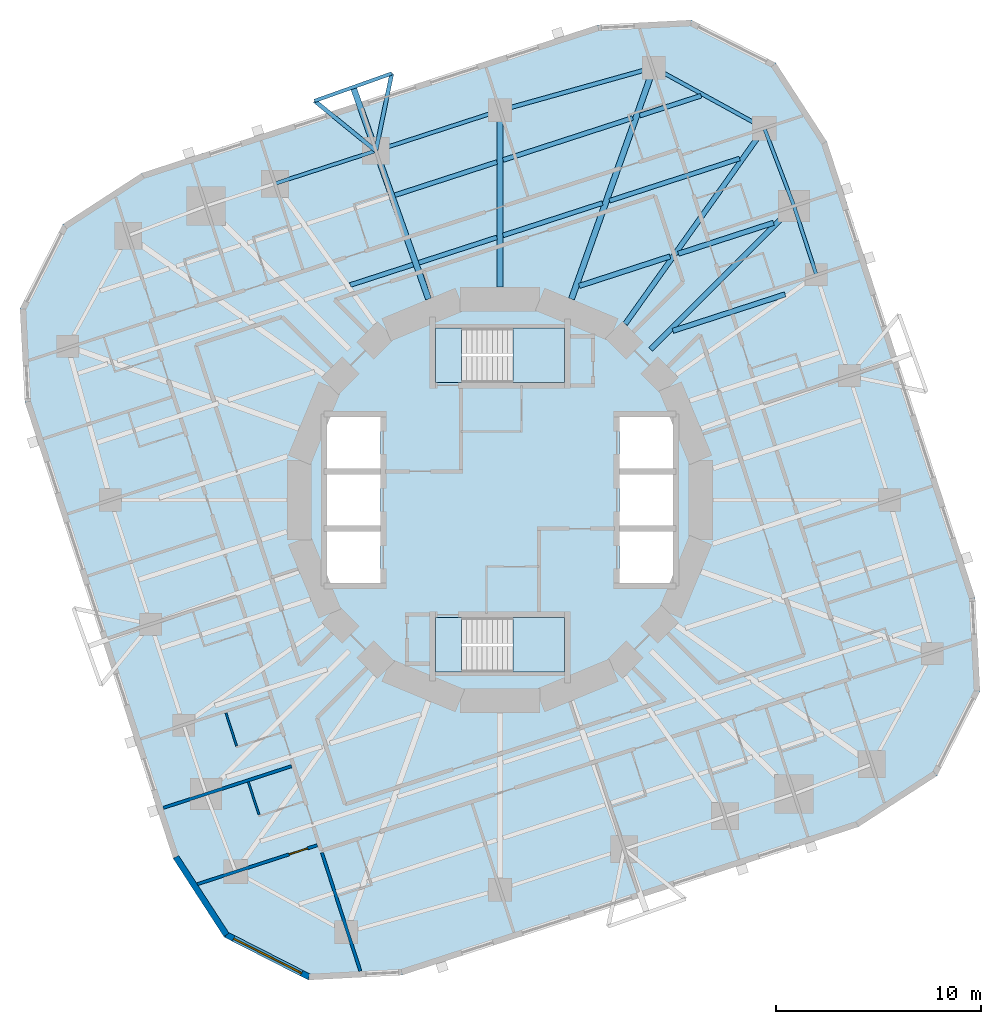
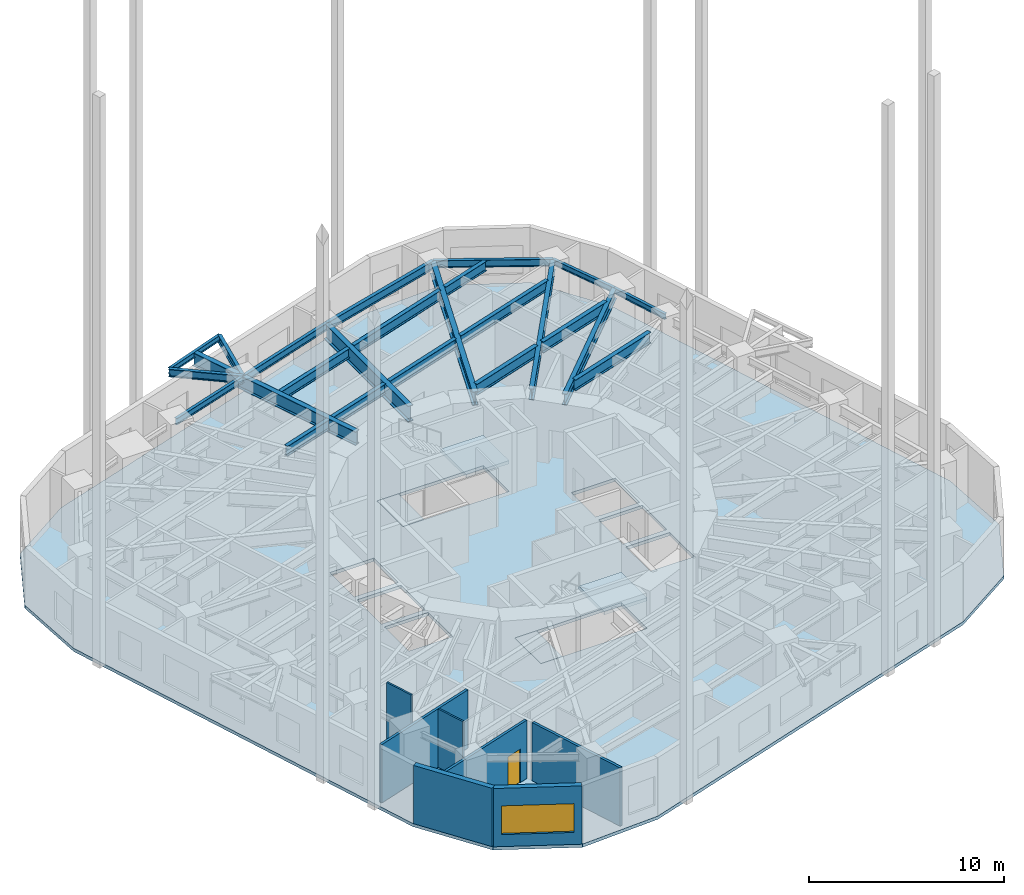
# One storey, part 3 of 10: 24 beams, 7 walls, 5 slabs, 1 door, 1 window, 2 openings, 2 elements without a shape of their own.
"""IFC4 building model written with IfcOpenShell, lengths in metres."""

from ifc_helpers import new_model, si_unit, direction, frame, frame_2d, origin, origin_2d, place, context, subcontext, project, spatial, polyline, rectangle, i_section, outline, extrude, material, layer, layer_set, material_profile, profile_set, type_object, element, fill, aggregate, save


model = new_model("IFC4")

# Units and contexts
model_context = context("Model", 3, precision=1e-05, world=origin(), true_north=direction((0.0, 1.0)))
body_context = subcontext(model_context, "Body", "Model", "MODEL_VIEW")
ifc_project = project(units=[si_unit("LENGTHUNIT", "METRE"), si_unit("AREAUNIT", "SQUARE_METRE"), si_unit("VOLUMEUNIT", "CUBIC_METRE"), si_unit("PLANEANGLEUNIT", "RADIAN"), si_unit("MASSUNIT", "GRAM", prefix="KILO")], contexts=[model_context])

# Site, building, storey
site_placement = place(None, origin())
site = spatial("IfcSite", under=ifc_project, at=site_placement, CompositionType="ELEMENT")
building_placement = place(site_placement, origin())
building = spatial("IfcBuilding", under=site, at=building_placement, Name="Nakasero Lantern House", CompositionType="ELEMENT")
storey_placement = place(building_placement, frame((0.0, 0.0, 141.800048828125)))
storey = spatial("IfcBuildingStorey", under=building, at=storey_placement, Name="L34", CompositionType="ELEMENT", Elevation=141.800048828125)

# Beams
ifc_material_1 = material(Name="Steel S355", Category="steel")
ifc_material_profile_1 = material_profile(ifc_material_1, i_section(OverallWidth=0.199462890625, OverallDepth=0.491943359375, WebThickness=0.01806640625, FlangeThickness=0.031982421875, FilletRadius=0.01025390625, at=origin_2d()), Name="UB 457x191x161")
ifc_profile_set_1 = profile_set([ifc_material_profile_1], Name="Steel S355")
beam_type_1 = type_object("IfcBeamType", Name="Balcony splay beam UB 457x191x161", PredefinedType="BEAM", material=ifc_profile_set_1)
for number, where, z_axis, x_axis, name in (
    (1, (-6.06591796875, 17.060546875, 3.404052734375), (-0.774864205236, 0.632127727159, 0.0), (-0.632127727159, -0.774864205236, 0.0), "Balcony splay beam L35 B4-C10A"),
    (2, (-6.06591796875, 17.060546875, 3.404052734375), (0.201831438605, 0.979420272605, 0.0), (-0.979420272605, 0.201831438605, 0.0), "Balcony splay beam L35 B4-C10B"),
):
    element("IfcBeam", number, at=place(storey_placement, frame(where, z_axis=z_axis, x_axis=x_axis)), inside=storey, type_object=beam_type_1, Name=name, PredefinedType="BEAM", context=body_context, shape_type="SweptSolid", body=[
        extrude(i_section(OverallWidth=0.199462890625, OverallDepth=0.491943359375, WebThickness=0.01806640625, FlangeThickness=0.031982421875, FilletRadius=0.01025390625, at=origin_2d()), origin(), (0.0, 0.0, 1.0), 3.858642578125),
    ])
ifc_material_2 = material(Name="Steel S355", Category="steel")
ifc_material_profile_2 = material_profile(ifc_material_2, i_section(OverallWidth=0.17138671875, OverallDepth=0.35498046875, WebThickness=0.00732421875, FlangeThickness=0.011474609375, FilletRadius=0.01025390625, at=origin_2d()), Name="UB 356x171x51")
ifc_profile_set_2 = profile_set([ifc_material_profile_2], Name="Steel S355")
beam_type_2 = type_object("IfcBeamType", Name="Balcony tie beam UB 356x171x51", PredefinedType="BEAM", material=ifc_profile_set_2)
beam_1_placement = place(storey_placement, frame((-9.055908203125, 19.499755859375, 3.472412109375), z_axis=(0.942209124415, 0.335025321236, 0.0), x_axis=(-0.335025321236, 0.942209124415, 0.0)))
element("IfcBeam", 3, at=beam_1_placement, inside=storey, type_object=beam_type_2, Name="Balcony tie beam L35 B4-C10", PredefinedType="BEAM", context=body_context, shape_type="SweptSolid", body=[
    extrude(i_section(OverallWidth=0.17138671875, OverallDepth=0.35498046875, WebThickness=0.00732421875, FlangeThickness=0.011474609375, FilletRadius=0.01025390625, at=origin_2d()), origin(), (0.0, 0.0, 1.0), 4.0),
])
ifc_material_3 = material(Name="Steel S355", Category="steel")
ifc_material_profile_3 = material_profile(ifc_material_3, i_section(OverallWidth=0.22900390625, OverallDepth=0.6123046875, WebThickness=0.011962890625, FlangeThickness=0.01953125, FilletRadius=0.0126953125, at=origin_2d()), Name="UB 610x229x125")
ifc_profile_set_3 = profile_set([ifc_material_profile_3], Name="Steel S355")
beam_type_3 = type_object("IfcBeamType", Name="Infill beam UB 610x229x125", PredefinedType="JOIST", material=ifc_profile_set_3)
beam_2_placement = place(storey_placement, frame((-7.31396484375, 10.50390625, 3.34375), z_axis=(0.951054080044, 0.309024492283, 0.0), x_axis=(-0.309024492283, 0.951054080044, 0.0)))
element("IfcBeam", 4, at=beam_2_placement, inside=storey, type_object=beam_type_3, Name="Infill beam L35 11.5", PredefinedType="JOIST", context=body_context, shape_type="SweptSolid", body=[
    extrude(i_section(OverallWidth=0.22900390625, OverallDepth=0.6123046875, WebThickness=0.011962890625, FlangeThickness=0.01953125, FilletRadius=0.0126953125, at=origin_2d()), origin(), (0.0, 0.0, 1.0), 3.227294921875),
])
beam_3_placement = place(storey_placement, frame((-3.96630859375, 11.591796875, 3.34375), z_axis=(0.95105910343, 0.309009031878, 0.0), x_axis=(-0.309009031878, 0.95105910343, 0.0)))
element("IfcBeam", 5, at=beam_3_placement, inside=storey, type_object=beam_type_3, Name="Infill beam L35 11.6", PredefinedType="JOIST", context=body_context, shape_type="SweptSolid", body=[
    extrude(i_section(OverallWidth=0.22900390625, OverallDepth=0.6123046875, WebThickness=0.011962890625, FlangeThickness=0.01953125, FilletRadius=0.0126953125, at=origin_2d()), origin(), (0.0, 0.0, 1.0), 4.0126953125),
])
beam_4_placement = place(storey_placement, frame((0.14990234375, 12.92919921875, 3.34375), z_axis=(0.951057977144, 0.309012498309, 0.0), x_axis=(-0.309012498309, 0.951057977144, 0.0)))
element("IfcBeam", 6, at=beam_4_placement, inside=storey, type_object=beam_type_3, Name="Infill beam L35 11.7", PredefinedType="JOIST", context=body_context, shape_type="SweptSolid", body=[
    extrude(i_section(OverallWidth=0.22900390625, OverallDepth=0.6123046875, WebThickness=0.011962890625, FlangeThickness=0.01953125, FilletRadius=0.0126953125, at=origin_2d()), origin(), (0.0, 0.0, 1.0), 5.102294921875),
])
beam_5_placement = place(storey_placement, frame((5.353271484375, 14.619873046875, 3.34375), z_axis=(0.951056080098, 0.30901833685, 0.0), x_axis=(-0.30901833685, 0.951056080098, 0.0)))
element("IfcBeam", 7, at=beam_5_placement, inside=storey, type_object=beam_type_3, Name="Infill beam L35 11.8", PredefinedType="JOIST", context=body_context, shape_type="SweptSolid", body=[
    extrude(i_section(OverallWidth=0.22900390625, OverallDepth=0.6123046875, WebThickness=0.011962890625, FlangeThickness=0.01953125, FilletRadius=0.0126953125, at=origin_2d()), origin(), (0.0, 0.0, 1.0), 6.68310546875),
])
beam_6_placement = place(storey_placement, frame((-5.139404296875, 14.890625, 3.34375), z_axis=(0.951061765699, 0.309000837904, 0.0), x_axis=(-0.309000837904, 0.951061765699, 0.0)))
element("IfcBeam", 8, at=beam_6_placement, inside=storey, type_object=beam_type_3, Name="Infill beam L35 12.5", PredefinedType="JOIST", context=body_context, shape_type="SweptSolid", body=[
    extrude(i_section(OverallWidth=0.22900390625, OverallDepth=0.6123046875, WebThickness=0.011962890625, FlangeThickness=0.01953125, FilletRadius=0.0126953125, at=origin_2d()), origin(), (0.0, 0.0, 1.0), 5.246337890625),
])
beam_7_placement = place(storey_placement, frame((0.14990234375, 16.609375, 3.34375), z_axis=(0.951068556075, 0.308979937287, 0.0), x_axis=(-0.308979937287, 0.951068556075, 0.0)))
element("IfcBeam", 9, at=beam_7_placement, inside=storey, type_object=beam_type_3, Name="Infill beam L35 12.6", PredefinedType="JOIST", context=body_context, shape_type="SweptSolid", body=[
    extrude(i_section(OverallWidth=0.22900390625, OverallDepth=0.6123046875, WebThickness=0.011962890625, FlangeThickness=0.01953125, FilletRadius=0.0126953125, at=origin_2d()), origin(), (0.0, 0.0, 1.0), 6.65771484375),
])
beam_8_placement = place(storey_placement, frame((6.832763671875, 18.780517578125, 3.34375), z_axis=(0.951054602662, 0.309022883872, 0.0), x_axis=(-0.309022883872, 0.951054602662, 0.0)))
element("IfcBeam", 10, at=beam_8_placement, inside=storey, type_object=beam_type_3, Name="Infill beam L35 12.7", PredefinedType="JOIST", context=body_context, shape_type="SweptSolid", body=[
    extrude(i_section(OverallWidth=0.22900390625, OverallDepth=0.6123046875, WebThickness=0.011962890625, FlangeThickness=0.01953125, FilletRadius=0.0126953125, at=origin_2d()), origin(), (0.0, 0.0, 1.0), 3.145263671875),
])
ifc_material_4 = material(Name="Steel S355", Category="steel")
ifc_material_profile_4 = material_profile(ifc_material_4, i_section(OverallWidth=0.253662109375, OverallDepth=0.68359375, WebThickness=0.012451171875, FlangeThickness=0.01904296875, FilletRadius=0.01513671875, at=origin_2d()), Name="UB 686x254x140")
ifc_profile_set_4 = profile_set([ifc_material_profile_4], Name="Steel S355")
beam_type_4 = type_object("IfcBeamType", Name="Infill beam UB 686x254x140", PredefinedType="JOIST", material=ifc_profile_set_4)
beam_9_placement = place(storey_placement, frame((8.44287109375, 8.263427734375, 3.30810546875), z_axis=(0.951055211673, 0.309021009559, 0.0), x_axis=(-0.309021009559, 0.951055211673, 0.0)))
element("IfcBeam", 11, at=beam_9_placement, inside=storey, type_object=beam_type_4, Name="Infill beam L35 09.2", PredefinedType="JOIST", context=body_context, shape_type="SweptSolid", body=[
    extrude(i_section(OverallWidth=0.253662109375, OverallDepth=0.68359375, WebThickness=0.012451171875, FlangeThickness=0.01904296875, FilletRadius=0.01513671875, at=origin_2d()), origin(), (0.0, 0.0, 1.0), 5.769775390625),
])
beam_10_placement = place(storey_placement, frame((3.8740234375, 10.458984375, 3.30810546875), z_axis=(0.95106063111, 0.309004329989, 0.0), x_axis=(-0.309004329989, 0.95106063111, 0.0)))
element("IfcBeam", 12, at=beam_10_placement, inside=storey, type_object=beam_type_4, Name="Infill beam L35 10.3", PredefinedType="JOIST", context=body_context, shape_type="SweptSolid", body=[
    extrude(i_section(OverallWidth=0.253662109375, OverallDepth=0.68359375, WebThickness=0.012451171875, FlangeThickness=0.01904296875, FilletRadius=0.01513671875, at=origin_2d()), origin(), (0.0, 0.0, 1.0), 4.659912109375),
])
beam_11_placement = place(storey_placement, frame((8.710693359375, 12.030517578125, 3.30810546875), z_axis=(0.951061574069, 0.309001427713, 0.0), x_axis=(-0.309001427713, 0.951061574069, 0.0)))
element("IfcBeam", 13, at=beam_11_placement, inside=storey, type_object=beam_type_4, Name="Infill beam L35 10.4", PredefinedType="JOIST", context=body_context, shape_type="SweptSolid", body=[
    extrude(i_section(OverallWidth=0.253662109375, OverallDepth=0.68359375, WebThickness=0.012451171875, FlangeThickness=0.01904296875, FilletRadius=0.01513671875, at=origin_2d()), origin(), (0.0, 0.0, 1.0), 4.8916015625),
])
ifc_material_5 = material(Name="Steel S355", Category="steel")
ifc_material_profile_5 = material_profile(ifc_material_5, i_section(OverallWidth=0.300048828125, OverallDepth=0.97998046875, WebThickness=0.0166015625, FlangeThickness=0.02587890625, FilletRadius=0.030029296875, at=origin_2d()), Name="UB 1016x305x249")
ifc_profile_set_5 = profile_set([ifc_material_profile_5], Name="Steel S355")
beam_type_5 = type_object("IfcBeamType", Name="Primary beam UB 1016x305x249, span 6 to 9 m", PredefinedType="BEAM", material=ifc_profile_set_5)
beam_12_placement = place(storey_placement, frame((0.0, 19.031494140625, 3.159912109375), z_axis=(0.0, -1.0, 0.0), x_axis=(1.0, 0.0, 0.0)))
element("IfcBeam", 14, at=beam_12_placement, inside=storey, type_object=beam_type_5, Name="Primary beam L35 B4-C09", PredefinedType="BEAM", context=body_context, shape_type="SweptSolid", body=[
    extrude(i_section(OverallWidth=0.300048828125, OverallDepth=0.97998046875, WebThickness=0.0166015625, FlangeThickness=0.02587890625, FilletRadius=0.030029296875, at=origin_2d()), origin(), (0.0, 0.0, 1.0), 8.62353515625),
])
ifc_material_6 = material(Name="Steel S355", Category="steel")
ifc_material_profile_6 = material_profile(ifc_material_6, i_section(OverallWidth=0.253662109375, OverallDepth=0.68359375, WebThickness=0.012451171875, FlangeThickness=0.01904296875, FilletRadius=0.01513671875, at=origin_2d()), Name="UB 686x254x140")
ifc_profile_set_6 = profile_set([ifc_material_profile_6], Name="Steel S355")
beam_type_6 = type_object("IfcBeamType", Name="Primary beam UB 686x254x140, span 9 to 12 m", PredefinedType="BEAM", material=ifc_profile_set_6)
beam_13_placement = place(storey_placement, frame((14.3642578125, 14.3642578125, 3.30810546875), z_axis=(-0.707106781187, -0.707106781187, 0.0), x_axis=(0.707106781187, -0.707106781187, 0.0)))
element("IfcBeam", 15, at=beam_13_placement, inside=storey, type_object=beam_type_6, Name="Primary beam L35 B4-C06", PredefinedType="BEAM", context=body_context, shape_type="SweptSolid", body=[
    extrude(i_section(OverallWidth=0.253662109375, OverallDepth=0.68359375, WebThickness=0.012451171875, FlangeThickness=0.01904296875, FilletRadius=0.01513671875, at=origin_2d()), origin(), (0.0, 0.0, 1.0), 9.906494140625),
])
beam_14_placement = place(storey_placement, frame((12.916015625, 18.1630859375, 3.30810546875), z_axis=(-0.579530236062, -0.814950738075, 0.0), x_axis=(0.814950738075, -0.579530236062, 0.0)))
element("IfcBeam", 16, at=beam_14_placement, inside=storey, type_object=beam_type_6, Name="Primary beam L35 B4-C07", PredefinedType="BEAM", context=body_context, shape_type="SweptSolid", body=[
    extrude(i_section(OverallWidth=0.253662109375, OverallDepth=0.68359375, WebThickness=0.012451171875, FlangeThickness=0.01904296875, FilletRadius=0.01513671875, at=origin_2d()), origin(), (0.0, 0.0, 1.0), 11.73193359375),
])
ifc_material_7 = material(Name="Steel S355", Category="steel")
ifc_material_profile_7 = material_profile(ifc_material_7, i_section(OverallWidth=0.29248046875, OverallDepth=0.8408203125, WebThickness=0.0146484375, FlangeThickness=0.02685546875, FilletRadius=0.017822265625, at=origin_2d()), Name="UB 838x292x194")
ifc_profile_set_7 = profile_set([ifc_material_profile_7], Name="Steel S355")
beam_type_7 = type_object("IfcBeamType", Name="Primary beam UB 838x292x194, span 12 to 15 m", PredefinedType="BEAM", material=ifc_profile_set_7)
beam_15_placement = place(storey_placement, frame((7.5126953125, 21.129638671875, 3.2294921875), z_axis=(-0.335012877559, -0.942213548974, 0.0), x_axis=(0.942213548974, -0.335012877559, 0.0)))
element("IfcBeam", 17, at=beam_15_placement, inside=storey, type_object=beam_type_7, Name="Primary beam L35 B4-C08", PredefinedType="BEAM", context=body_context, shape_type="SweptSolid", body=[
    extrude(i_section(OverallWidth=0.29248046875, OverallDepth=0.8408203125, WebThickness=0.0146484375, FlangeThickness=0.02685546875, FilletRadius=0.017822265625, at=origin_2d()), origin(), (0.0, 0.0, 1.0), 12.00390625),
])
ifc_material_8 = material(Name="Steel S355", Category="steel")
ifc_material_profile_8 = material_profile(ifc_material_8, i_section(OverallWidth=0.29248046875, OverallDepth=0.8408203125, WebThickness=0.0146484375, FlangeThickness=0.02685546875, FilletRadius=0.017822265625, at=origin_2d()), Name="UB 838x292x194")
ifc_profile_set_8 = profile_set([ifc_material_profile_8], Name="Steel S355")
beam_type_8 = type_object("IfcBeamType", Name="Primary beam UB 838x292x194, span 6 to 9 m", PredefinedType="BEAM", material=ifc_profile_set_8)
beam_16_placement = place(storey_placement, frame((-7.17138671875, 20.169921875, 3.2294921875), z_axis=(0.335007036998, -0.942215625619, 0.0), x_axis=(0.942215625619, 0.335007036998, 0.0)))
element("IfcBeam", 18, at=beam_16_placement, inside=storey, type_object=beam_type_8, Name="Primary beam L35 B4-C10", PredefinedType="BEAM", context=body_context, shape_type="SweptSolid", body=[
    extrude(i_section(OverallWidth=0.29248046875, OverallDepth=0.8408203125, WebThickness=0.0146484375, FlangeThickness=0.02685546875, FilletRadius=0.017822265625, at=origin_2d()), origin(), (0.0, 0.0, 1.0), 10.9853515625),
])
ifc_material_9 = material(Name="Steel S355", Category="steel")
ifc_material_profile_9 = material_profile(ifc_material_9, i_section(OverallWidth=0.17138671875, OverallDepth=0.35498046875, WebThickness=0.00732421875, FlangeThickness=0.011474609375, FilletRadius=0.01025390625, at=origin_2d()), Name="UB 356x171x51")
ifc_profile_set_9 = profile_set([ifc_material_profile_9], Name="Steel S355")
beam_type_9 = type_object("IfcBeamType", Name="Ring beam UB 356x171x51", PredefinedType="BEAM", material=ifc_profile_set_9)
beam_17_placement = place(storey_placement, frame((15.45947265625, 10.993408203125, 3.472412109375), z_axis=(-0.309006636447, 0.951059881727, 0.0), x_axis=(-0.951059881727, -0.309006636447, 0.0)))
element("IfcBeam", 19, at=beam_17_placement, inside=storey, type_object=beam_type_9, Name="Ring beam L35 B4-C05", PredefinedType="BEAM", context=body_context, shape_type="SweptSolid", body=[
    extrude(i_section(OverallWidth=0.17138671875, OverallDepth=0.35498046875, WebThickness=0.00732421875, FlangeThickness=0.011474609375, FilletRadius=0.01025390625, at=origin_2d()), origin(), (0.0, 0.0, 1.0), 3.544189453125),
])
beam_18_placement = place(storey_placement, frame((14.3642578125, 14.3642578125, 3.472412109375), z_axis=(-0.35622505813, 0.934400186194, 0.0), x_axis=(-0.934400186194, -0.35622505813, 0.0)))
element("IfcBeam", 20, at=beam_18_placement, inside=storey, type_object=beam_type_9, Name="Ring beam L35 B4-C06", PredefinedType="BEAM", context=body_context, shape_type="SweptSolid", body=[
    extrude(i_section(OverallWidth=0.17138671875, OverallDepth=0.35498046875, WebThickness=0.00732421875, FlangeThickness=0.011474609375, FilletRadius=0.01025390625, at=origin_2d()), origin(), (0.0, 0.0, 1.0), 4.0654296875),
])
ifc_material_10 = material(Name="Steel S355", Category="steel")
ifc_material_profile_10 = material_profile(ifc_material_10, i_section(OverallWidth=0.177978515625, OverallDepth=0.406494140625, WebThickness=0.0078125, FlangeThickness=0.0126953125, FilletRadius=0.01025390625, at=origin_2d()), Name="UB 406x178x60")
ifc_profile_set_10 = profile_set([ifc_material_profile_10], Name="Steel S355")
beam_type_10 = type_object("IfcBeamType", Name="Ring beam UB 406x178x60", PredefinedType="BEAM", material=ifc_profile_set_10)
beam_19_placement = place(storey_placement, frame((-6.06591796875, 17.060546875, 3.44677734375), z_axis=(-0.95105449754, -0.309023207396, 0.0), x_axis=(0.309023207396, -0.95105449754, 0.0)))
element("IfcBeam", 21, at=beam_19_placement, inside=storey, type_object=beam_type_10, Name="Ring beam L35 B4-C10", PredefinedType="BEAM", context=body_context, shape_type="SweptSolid", body=[
    extrude(i_section(OverallWidth=0.177978515625, OverallDepth=0.406494140625, WebThickness=0.0078125, FlangeThickness=0.0126953125, FilletRadius=0.01025390625, at=origin_2d()), origin(), (0.0, 0.0, 1.0), 5.18115234375),
])
ifc_material_11 = material(Name="Steel S355", Category="steel")
ifc_material_profile_11 = material_profile(ifc_material_11, i_section(OverallWidth=0.18994140625, OverallDepth=0.453369140625, WebThickness=0.008544921875, FlangeThickness=0.0126953125, FilletRadius=0.01025390625, at=origin_2d()), Name="UB 457x191x67")
ifc_profile_set_11 = profile_set([ifc_material_profile_11], Name="Steel S355")
beam_type_11 = type_object("IfcBeamType", Name="Ring beam UB 457x191x67", PredefinedType="BEAM", material=ifc_profile_set_11)
beam_20_placement = place(storey_placement, frame((12.916015625, 18.1630859375, 3.42333984375), z_axis=(-0.876576912681, 0.481261795861, 0.0), x_axis=(-0.481261795861, -0.876576912681, 0.0)))
element("IfcBeam", 22, at=beam_20_placement, inside=storey, type_object=beam_type_11, Name="Ring beam L35 B4-C07", PredefinedType="BEAM", context=body_context, shape_type="SweptSolid", body=[
    extrude(i_section(OverallWidth=0.18994140625, OverallDepth=0.453369140625, WebThickness=0.008544921875, FlangeThickness=0.0126953125, FilletRadius=0.01025390625, at=origin_2d()), origin(), (0.0, 0.0, 1.0), 6.1640625),
])
ifc_material_12 = material(Name="Steel S355", Category="steel")
ifc_material_profile_12 = material_profile(ifc_material_12, i_section(OverallWidth=0.19140625, OverallDepth=0.4599609375, WebThickness=0.010009765625, FlangeThickness=0.01611328125, FilletRadius=0.01025390625, at=origin_2d()), Name="UB 457x191x82")
ifc_profile_set_12 = profile_set([ifc_material_profile_12], Name="Steel S355")
beam_type_12 = type_object("IfcBeamType", Name="Ring beam UB 457x191x82", PredefinedType="BEAM", material=ifc_profile_set_12)
beam_21_placement = place(storey_placement, frame((0.0, 19.031494140625, 3.419921875), z_axis=(-0.951056007502, -0.309018560274, 0.0), x_axis=(0.309018560274, -0.951056007502, 0.0)))
element("IfcBeam", 23, at=beam_21_placement, inside=storey, type_object=beam_type_12, Name="Ring beam L35 B4-C09", PredefinedType="BEAM", context=body_context, shape_type="SweptSolid", body=[
    extrude(i_section(OverallWidth=0.19140625, OverallDepth=0.4599609375, WebThickness=0.010009765625, FlangeThickness=0.01611328125, FilletRadius=0.01025390625, at=origin_2d()), origin(), (0.0, 0.0, 1.0), 6.378173828125),
])
ifc_material_13 = material(Name="Steel S355", Category="steel")
ifc_material_profile_13 = material_profile(ifc_material_13, i_section(OverallWidth=0.208740234375, OverallDepth=0.5283203125, WebThickness=0.009521484375, FlangeThickness=0.01318359375, FilletRadius=0.0126953125, at=origin_2d()), Name="UB 533x210x82")
ifc_profile_set_13 = profile_set([ifc_material_profile_13], Name="Steel S355")
beam_type_13 = type_object("IfcBeamType", Name="Ring beam UB 533x210x82", PredefinedType="BEAM", material=ifc_profile_set_13)
beam_22_placement = place(storey_placement, frame((7.5126953125, 21.129638671875, 3.3857421875), z_axis=(-0.963143892339, -0.268986696047, 0.0), x_axis=(0.268986696047, -0.963143892339, 0.0)))
element("IfcBeam", 24, at=beam_22_placement, inside=storey, type_object=beam_type_13, Name="Ring beam L35 B4-C08", PredefinedType="BEAM", context=body_context, shape_type="SweptSolid", body=[
    extrude(i_section(OverallWidth=0.208740234375, OverallDepth=0.5283203125, WebThickness=0.009521484375, FlangeThickness=0.01318359375, FilletRadius=0.0126953125, at=origin_2d()), origin(), (0.0, 0.0, 1.0), 7.80029296875),
])

# Slab
ifc_material_14 = material(Name="Concrete C35/45", Category="concrete")
ifc_layer_1 = layer(ifc_material_14, 0.199951171875)
ifc_layer_set_1 = layer_set([ifc_layer_1], Name="Composite floor slab 200")
slab_type_1 = type_object("IfcSlabType", Name="Composite floor slab 200", PredefinedType="FLOOR", material=ifc_layer_set_1)
slab_1_placement = place(storey_placement, frame((0.0, 0.0, -0.199951171875)))
element("IfcSlab", 25, at=slab_1_placement, inside=storey, type_object=slab_type_1, Name="Floor slab L34", PredefinedType="FLOOR", context=body_context, shape_type="SweptSolid", body=[
    extrude(outline(polyline([(15.976318359375, 17.4931640625), (13.467041015625, 21.35693359375), (9.3623046875, 23.448486328125), (4.76171875, 23.207275390625), (-17.4931640625, 15.976318359375), (-21.35693359375, 13.467041015625), (-23.448486328125, 9.3623046875), (-23.207275390625, 4.76171875), (-15.976318359375, -17.4931640625), (-13.467041015625, -21.35693359375), (-9.3623046875, -23.448486328125), (-4.76171875, -23.207275390625), (17.4931640625, -15.976318359375), (21.35693359375, -13.467041015625), (23.448486328125, -9.3623046875), (23.207275390625, -4.76171875), (15.976318359375, 17.4931640625)]), holes=[polyline([(-8.449951171875, -4.050048828125), (-5.85009765625, -4.050048828125), (-5.85009765625, -1.550048828125), (-8.449951171875, -1.550048828125), (-8.449951171875, -4.050048828125)]), polyline([(-8.449951171875, -1.25), (-5.85009765625, -1.25), (-5.85009765625, 1.25), (-8.449951171875, 1.25), (-8.449951171875, -1.25)]), polyline([(-8.449951171875, 1.550048828125), (-5.85009765625, 1.550048828125), (-5.85009765625, 4.050048828125), (-8.449951171875, 4.050048828125), (-8.449951171875, 1.550048828125)]), polyline([(5.85009765625, -4.050048828125), (8.449951171875, -4.050048828125), (8.449951171875, -1.550048828125), (5.85009765625, -1.550048828125), (5.85009765625, -4.050048828125)]), polyline([(5.85009765625, -1.25), (8.449951171875, -1.25), (8.449951171875, 1.25), (5.85009765625, 1.25), (5.85009765625, -1.25)]), polyline([(5.85009765625, 1.550048828125), (8.449951171875, 1.550048828125), (8.449951171875, 4.050048828125), (5.85009765625, 4.050048828125), (5.85009765625, 1.550048828125)]), polyline([(-3.14990234375, 5.75), (3.14990234375, 5.75), (3.14990234375, 8.39990234375), (-3.14990234375, 8.39990234375), (-3.14990234375, 5.75)]), polyline([(-3.14990234375, -8.39990234375), (3.14990234375, -8.39990234375), (3.14990234375, -5.75), (-3.14990234375, -5.75), (-3.14990234375, -8.39990234375)])]), origin(), (0.0, 0.0, 1.0), 0.199951171875),
])

# Stair, slabs
ifc_material_15 = material(Name="Concrete C40/50", Category="concrete")
stair_type_1 = type_object("IfcStairType", Name="Escape stair ST1 22 risers", PredefinedType="HALF_TURN_STAIR", material=ifc_material_15)
stair_1_placement = place(storey_placement, origin())
stair_1 = element("IfcStair", 26, at=stair_1_placement, inside=storey, type_object=stair_type_1, Name="Escape stair ST1 L34", PredefinedType="HALF_TURN_STAIR")
ifc_material_16 = material(Name="Concrete C40/50", Category="concrete")
ifc_layer_2 = layer(ifc_material_16, 0.199951171875)
ifc_layer_set_2 = layer_set([ifc_layer_2], Name="Stair landing 200")
slab_type_2 = type_object("IfcSlabType", Name="Stair landing 200", PredefinedType="LANDING", material=ifc_layer_set_2)
slab_2_placement = place(storey_placement, frame((0.0, 0.0, -0.199951171875)))
slab_2 = element("IfcSlab", 27, at=slab_2_placement, type_object=slab_type_2, Name="ST1 landing 1", PredefinedType="LANDING", context=body_context, shape_type="SweptSolid", body=[
    extrude(outline(polyline([(-3.14990234375, 5.75), (-1.875, 5.75), (-1.875, 8.39990234375), (-3.14990234375, 8.39990234375), (-3.14990234375, 5.75)])), origin(), (0.0, 0.0, 1.0), 0.199951171875),
])
slab_3_placement = place(storey_placement, frame((0.0, 0.0, 1.724853515625)))
slab_3 = element("IfcSlab", 28, at=slab_3_placement, type_object=slab_type_2, Name="ST1 landing 2", PredefinedType="LANDING", context=body_context, shape_type="SweptSolid", body=[
    extrude(outline(polyline([(0.625, 5.75), (3.14990234375, 5.75), (3.14990234375, 8.39990234375), (0.625, 8.39990234375), (0.625, 5.75)])), origin(), (0.0, 0.0, 1.0), 0.2001953125),
])
aggregate(stair_1, [slab_2, slab_3])

ifc_material_17 = material(Name="Concrete C40/50", Category="concrete")
stair_type_2 = type_object("IfcStairType", Name="Escape stair ST2 22 risers", PredefinedType="HALF_TURN_STAIR", material=ifc_material_17)
stair_2_placement = place(storey_placement, origin())
stair_2 = element("IfcStair", 29, at=stair_2_placement, inside=storey, type_object=stair_type_2, Name="Escape stair ST2 L34", PredefinedType="HALF_TURN_STAIR")
slab_4_placement = place(storey_placement, frame((0.0, 0.0, -0.199951171875)))
slab_4 = element("IfcSlab", 30, at=slab_4_placement, type_object=slab_type_2, Name="ST2 landing 1", PredefinedType="LANDING", context=body_context, shape_type="SweptSolid", body=[
    extrude(outline(polyline([(-3.14990234375, -8.39990234375), (-1.875, -8.39990234375), (-1.875, -5.75), (-3.14990234375, -5.75), (-3.14990234375, -8.39990234375)])), origin(), (0.0, 0.0, 1.0), 0.199951171875),
])
slab_5_placement = place(storey_placement, frame((0.0, 0.0, 1.724853515625)))
slab_5 = element("IfcSlab", 31, at=slab_5_placement, type_object=slab_type_2, Name="ST2 landing 2", PredefinedType="LANDING", context=body_context, shape_type="SweptSolid", body=[
    extrude(outline(polyline([(0.625, -8.39990234375), (3.14990234375, -8.39990234375), (3.14990234375, -5.75), (0.625, -5.75), (0.625, -8.39990234375)])), origin(), (0.0, 0.0, 1.0), 0.2001953125),
])
aggregate(stair_2, [slab_4, slab_5])

# Walls
ifc_material_18 = material(Name="Blockwork", Category="masonry")
ifc_layer_3 = layer(ifc_material_18, 0.10009765625)
ifc_layer_set_3 = layer_set([ifc_layer_3], Name="En-suite wall 100")
wall_type_1 = type_object("IfcWallType", Name="En-suite wall 100", PredefinedType="PARTITIONING", material=ifc_layer_set_3)
for number, where, z_axis, x_axis, name in (
    (32, (-13.3916015625, -10.400390625, 0.0), (0.0, 0.0, 1.0), (0.309066587596, -0.951040401051, 0.0), "En-suite wall L34 EE2-05"),
    (33, (-12.29638671875, -13.771240234375, 0.0), (0.0, 0.0, 1.0), (0.309066587596, -0.951040401051, 0.0), "En-suite wall L34 EE2-06"),
):
    element("IfcWall", number, at=place(storey_placement, frame(where, z_axis=z_axis, x_axis=x_axis)), inside=storey, type_object=wall_type_1, Name=name, PredefinedType="PARTITIONING", context=body_context, shape_type="SweptSolid", body=[
        extrude(rectangle(XDim=1.699951171875, YDim=0.10009765625, at=frame_2d((0.85009765625, 0.0))), origin(), (0.0, 0.0, 1.0), 3.64990234375),
    ])
ifc_material_19 = material(Name="Aluminium rainscreen on blockwork", Category="masonry")
ifc_layer_4 = layer(ifc_material_19, 0.300048828125)
ifc_layer_set_4 = layer_set([ifc_layer_4], Name="Facade wall 300")
wall_type_2 = type_object("IfcWallType", Name="Facade wall 300", PredefinedType="SOLIDWALL", material=ifc_layer_set_4)
wall_1_placement = place(storey_placement, frame((-15.83349609375, -17.44677734375, 0.0), z_axis=(0.0, 0.0, 1.0), x_axis=(0.544634002266, -0.838673836229, 0.0)))
element("IfcWall", 34, at=wall_1_placement, inside=storey, type_object=wall_type_2, Name="Facade wall L34 FW2C1", PredefinedType="SOLIDWALL", context=body_context, shape_type="SweptSolid", body=[
    extrude(rectangle(XDim=4.529296875, YDim=0.300048828125, at=frame_2d((2.2646484375, 0.0))), origin(), (0.0, 0.0, 1.0), 3.64990234375),
])

# Wall, opening, window
wall_2_placement = place(storey_placement, frame((-13.36669921875, -21.245361328125, 0.0), z_axis=(0.0, 0.0, 1.0), x_axis=(0.890994655705, -0.454013792196, 0.0)))
wall_2 = element("IfcWall", 35, at=wall_2_placement, inside=storey, type_object=wall_type_2, Name="Facade wall L34 FW2C2", PredefinedType="SOLIDWALL", context=body_context, shape_type="SweptSolid", body=[
    extrude(rectangle(XDim=4.529296875, YDim=0.300048828125, at=frame_2d((2.2646484375, 0.0))), origin(), (0.0, 0.0, 1.0), 3.64990234375),
])
opening_1_placement = place(wall_2_placement, frame((0.39990234375, 0.0, 0.75)))
opening_1 = element("IfcOpeningElement", 36, at=opening_1_placement, cuts=wall_2, Name="Opening W237A", PredefinedType="OPENING", context=body_context, shape_type="SweptSolid", body=[
    extrude(rectangle(XDim=3.72900390625, YDim=1.800048828125, at=frame_2d((1.864501953125, 0.89990234375))), frame((0.0, 0.169921875, 0.0), z_axis=(0.0, -1.0, 0.0), x_axis=(1.0, 0.0, 0.0)), (0.0, 0.0, 1.0), 0.340087890625),
])
ifc_material_20 = material(Name="Aluminium 6063-T6 and glass", Category="aluminium")
window_type = type_object("IfcWindowType", Name="Corner window 3729x1800", PartitioningType="SINGLE_PANEL", PredefinedType="WINDOW", material=ifc_material_20)
window_placement = place(opening_1_placement, origin())
window = element("IfcWindow", 37, at=window_placement, inside=storey, type_object=window_type, Name="Window L34 WC2", OverallHeight=1.800048828125, OverallWidth=3.72900390625, PartitioningType="SINGLE_PANEL", PredefinedType="WINDOW", context=body_context, shape_type="SweptSolid", body=[
    extrude(rectangle(XDim=3.72900390625, YDim=1.800048828125, at=frame_2d((1.864501953125, 0.89990234375))), frame((0.0, 0.030029296875, 0.0), z_axis=(0.0, -1.0, 0.0), x_axis=(1.0, 0.0, 0.0)), (0.0, 0.0, 1.0), 0.06005859375),
])
fill(opening_1, window)

# Wall
ifc_material_21 = material(Name="Blockwork", Category="masonry")
ifc_layer_5 = layer(ifc_material_21, 0.14990234375)
ifc_layer_set_5 = layer_set([ifc_layer_5], Name="Party wall 150")
wall_type_3 = type_object("IfcWallType", Name="Party wall 150", PredefinedType="PARTITIONING", material=ifc_layer_set_5)
wall_3_placement = place(storey_placement, frame((-10.1796875, -13.004638671875, 0.0), z_axis=(0.0, 0.0, 1.0), x_axis=(-0.951053095941, -0.309027520945, 0.0)))
element("IfcWall", 38, at=wall_3_placement, inside=storey, type_object=wall_type_3, Name="Party wall L34 PW2-06", PredefinedType="PARTITIONING", context=body_context, shape_type="SweptSolid", body=[
    extrude(rectangle(XDim=6.599853515625, YDim=0.14990234375, at=frame_2d((3.2998046875, 0.0))), origin(), (0.0, 0.0, 1.0), 3.64990234375),
])

# Wall, opening, door
wall_4_placement = place(storey_placement, frame((-8.9248046875, -16.8662109375, 0.0), z_axis=(0.0, 0.0, 1.0), x_axis=(-0.951051818488, -0.309031452366, 0.0)))
wall_4 = element("IfcWall", 39, at=wall_4_placement, inside=storey, type_object=wall_type_3, Name="Party wall L34 PC2", PredefinedType="PARTITIONING", context=body_context, shape_type="SweptSolid", body=[
    extrude(rectangle(XDim=6.165283203125, YDim=0.14990234375, at=frame_2d((3.08251953125, 0.0))), origin(), (0.0, 0.0, 1.0), 3.64990234375),
])
opening_2_placement = place(wall_4_placement, frame((0.5, 0.0, 0.0)))
opening_2 = element("IfcOpeningElement", 40, at=opening_2_placement, cuts=wall_4, Name="Opening D01", PredefinedType="OPENING", context=body_context, shape_type="SweptSolid", body=[
    extrude(rectangle(XDim=0.949951171875, YDim=2.10009765625, at=frame_2d((0.47509765625, 1.050048828125))), frame((0.0, 0.094970703125, 0.0), z_axis=(0.0, -1.0, 0.0), x_axis=(1.0, 0.0, 0.0)), (0.0, 0.0, 1.0), 0.18994140625),
])
ifc_material_22 = material(Name="Timber C24", Category="wood")
door_type = type_object("IfcDoorType", Name="Bedroom door FD30S 950", OperationType="SINGLE_SWING_LEFT", PredefinedType="DOOR", material=ifc_material_22)
door_placement = place(opening_2_placement, origin())
door = element("IfcDoor", 41, at=door_placement, inside=storey, type_object=door_type, Name="Door L34 DC2", OperationType="SINGLE_SWING_LEFT", OverallHeight=2.10009765625, OverallWidth=0.949951171875, PredefinedType="DOOR", context=body_context, shape_type="SweptSolid", body=[
    extrude(rectangle(XDim=0.949951171875, YDim=2.10009765625, at=frame_2d((0.47509765625, 1.050048828125))), frame((0.0, 0.02490234375, 0.0), z_axis=(0.0, -1.0, 0.0), x_axis=(1.0, 0.0, 0.0)), (0.0, 0.0, 1.0), 0.050048828125),
])
fill(opening_2, door)

# Wall
wall_5_placement = place(storey_placement, frame((-8.700927734375, -17.232177734375, 0.0), z_axis=(0.0, 0.0, 1.0), x_axis=(0.309015253813, -0.951057081836, 0.0)))
element("IfcWall", 42, at=wall_5_placement, inside=storey, type_object=wall_type_3, Name="Party wall L34 PW3-00", PredefinedType="PARTITIONING", context=body_context, shape_type="SweptSolid", body=[
    extrude(rectangle(XDim=6.080322265625, YDim=0.14990234375, at=frame_2d((3.0400390625, 0.0))), origin(), (0.0, 0.0, 1.0), 3.64990234375),
])

save(model, "model.ifc")
